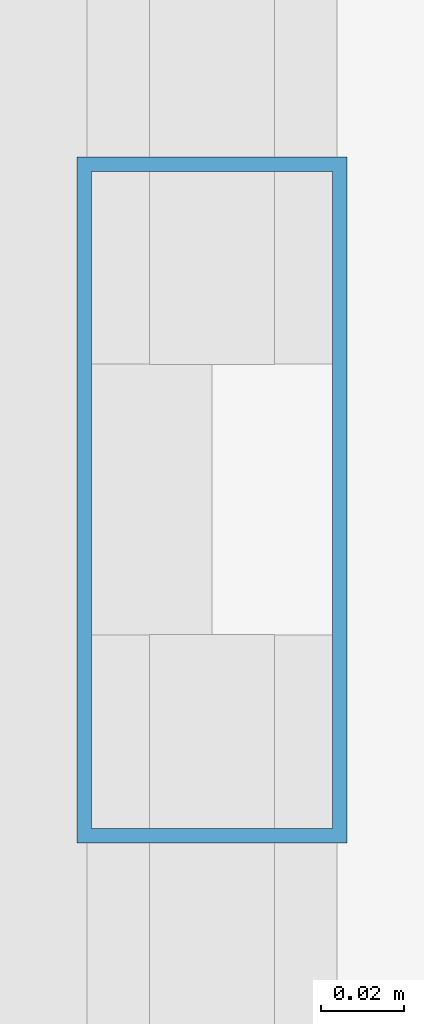
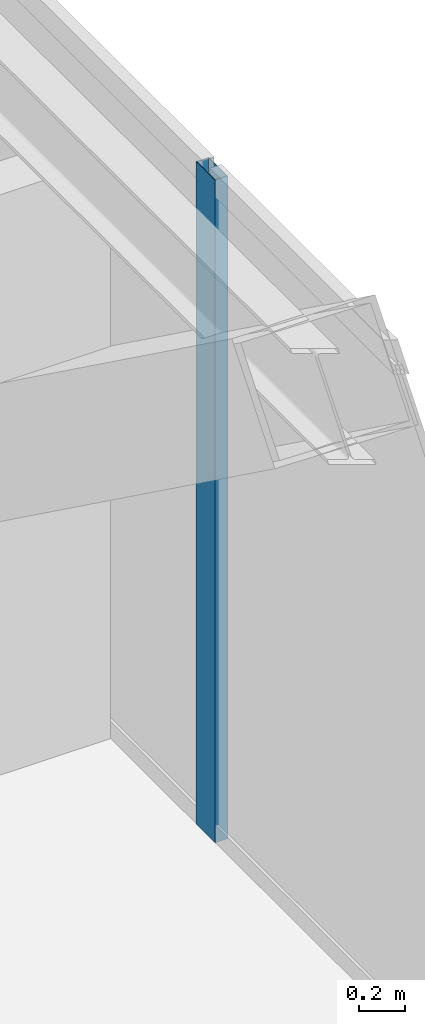
# One storey, part 19 of 33: 1 member, 1 element without a shape of its own.
"""IFC4 building model written with IfcOpenShell, lengths in metres."""

from ifc_helpers import new_model, si_unit, direction, frame, origin, origin_2d, place, context, subcontext, project, spatial, hollow_rectangle, extrude, source, transform, mapped, material, layer, layer_set, material_profile, profile_set, type_object, type_shapes, element, aggregate, save


model = new_model("IFC4")

# Units and contexts
model_context = context("Model", 3, precision=1e-05, world=origin(), true_north=direction((0.0, 1.0)))
body_context = subcontext(model_context, "Body", "Model", "MODEL_VIEW")
ifc_project = project(units=[si_unit("LENGTHUNIT", "METRE"), si_unit("AREAUNIT", "SQUARE_METRE"), si_unit("VOLUMEUNIT", "CUBIC_METRE"), si_unit("PLANEANGLEUNIT", "RADIAN"), si_unit("MASSUNIT", "GRAM", prefix="KILO")], contexts=[model_context])

# Site, building, storey
site_placement = place(None, origin())
site = spatial("IfcSite", under=ifc_project, at=site_placement, CompositionType="ELEMENT")
building_placement = place(site_placement, origin())
building = spatial("IfcBuilding", under=site, at=building_placement, Name="Varnel Quay Broadcast Tower", CompositionType="ELEMENT")
storey_placement = place(building_placement, frame((0.0, 0.0, 145.800048828125)))
storey = spatial("IfcBuildingStorey", under=building, at=storey_placement, Name="L35", CompositionType="ELEMENT", Elevation=145.800048828125)

# Curtain wall, member
ifc_material = material(Name="Anodised Bronze Aluminium 6063-T6", Category="aluminium")
ifc_layer = layer(ifc_material, 0.18994140625, Name="Anodised Bronze Aluminium 6063-T6")
ifc_layer_set = layer_set([ifc_layer], Name="Anodised Bronze Aluminium 6063-T6")
curtain_wall_type = type_object("IfcCurtainWallType", Name="CW_UpperTower", PredefinedType="NOTDEFINED", material=ifc_layer_set)
curtain_wall_placement = place(storey_placement, origin())
curtain_wall = element("IfcCurtainWall", 1, at=curtain_wall_placement, inside=storey, type_object=curtain_wall_type, Name="L35 East Unitised Curtain Wall", PredefinedType="NOTDEFINED")
ifc_material_profile = material_profile(ifc_material, hollow_rectangle(XDim=0.06494140625, YDim=0.1650390625, WallThickness=0.00341796875, at=origin_2d()), Name="ALU65X165X3.5")
ifc_profile_set = profile_set([ifc_material_profile], Name="Anodised Bronze Aluminium 6063-T6")
member_type = type_object("IfcMemberType", Name="Mull_CWS-03", PredefinedType="MULLION", material=ifc_profile_set)
shared_shape = source(origin(), body_context, "Body", "SweptSolid", [
    extrude(hollow_rectangle(XDim=0.06494140625, YDim=0.1650390625, WallThickness=0.00341796875, at=origin_2d()), origin(), (0.0, 0.0, 1.0), 3.550048828125),
])
type_shapes(member_type, [shared_shape])
member_placement = place(storey_placement, frame((60.85009765625, 32.39990234375, 0.0), z_axis=(0.0, 0.0, 1.0), x_axis=(-1.0, 0.0, 0.0)))
member = element("IfcMember", 2, at=member_placement, type_object=member_type, Name="CWS-03 mullion 3", PredefinedType="MULLION", context=body_context, shape_type="MappedRepresentation", body=[
    mapped(shared_shape, transform((0.0, 0.0, 0.0), x_axis=(1.0, 0.0, 0.0), y_axis=(0.0, 1.0, 0.0), z_axis=(0.0, 0.0, 1.0), scale=1.0)),
])
aggregate(curtain_wall, [member])

save(model, "model.ifc")
